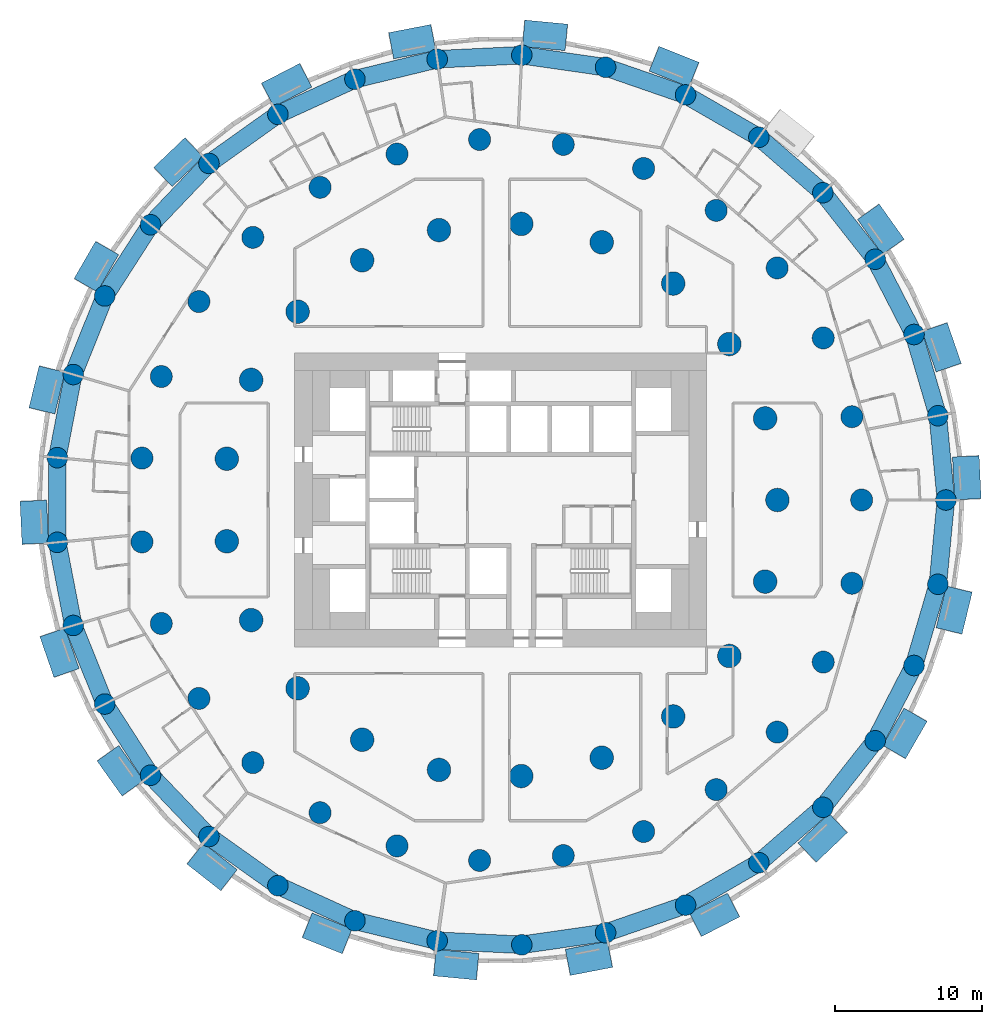
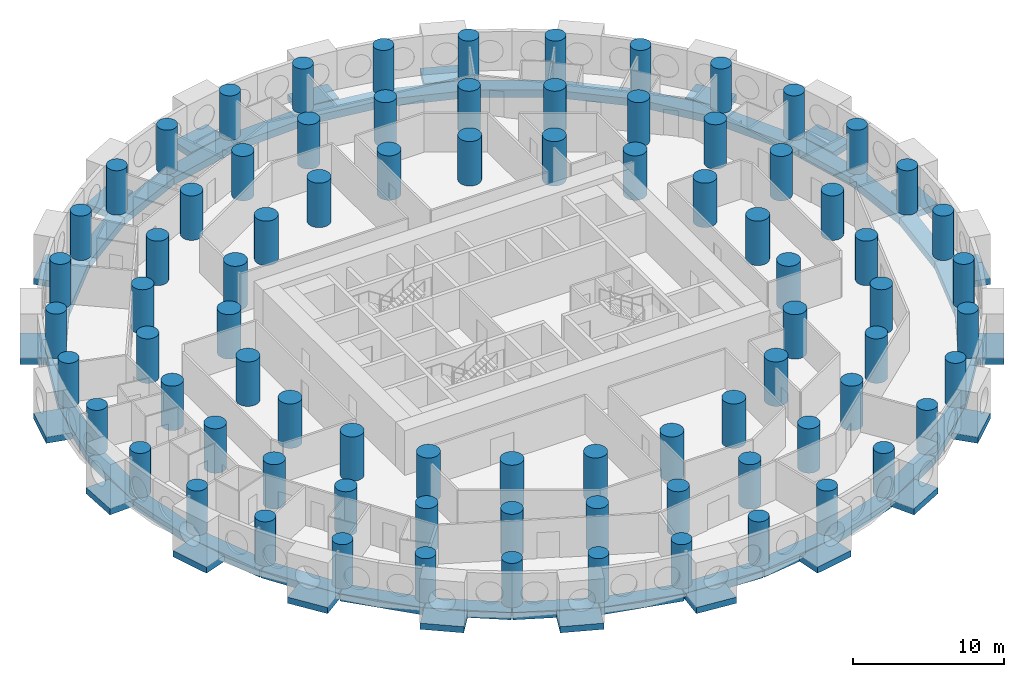
# One storey, part 1 of 12: 81 columns, 54 beams.
"""IFC4 building model written with IfcOpenShell, lengths in metres."""

from ifc_helpers import new_model, si_unit, direction, frame, origin, origin_2d, place, context, subcontext, project, spatial, rectangle, circle, extrude, material, material_profile, profile_set, type_object, element, save


model = new_model("IFC4")

# Units and contexts
model_context = context("Model", 3, precision=1e-05, world=origin(), true_north=direction((0.0, 1.0)))
body_context = subcontext(model_context, "Body", "Model", "MODEL_VIEW")
ifc_project = project(units=[si_unit("LENGTHUNIT", "METRE"), si_unit("AREAUNIT", "SQUARE_METRE"), si_unit("VOLUMEUNIT", "CUBIC_METRE"), si_unit("PLANEANGLEUNIT", "RADIAN"), si_unit("MASSUNIT", "GRAM", prefix="KILO")], contexts=[model_context])

# Site, building, storey
site_placement = place(None, origin())
site = spatial("IfcSite", under=ifc_project, at=site_placement, CompositionType="ELEMENT")
building_placement = place(site_placement, origin())
building = spatial("IfcBuilding", under=site, at=building_placement, Name="Tracery Tower", CompositionType="ELEMENT")
storey_placement = place(building_placement, frame((0.0, 0.0, 28.199951171875)))
storey = spatial("IfcBuildingStorey", under=building, at=storey_placement, Name="L05", CompositionType="ELEMENT", Elevation=28.199951171875)

# Columns
ifc_material_1 = material(Name="Concrete C60/75", Category="concrete")
ifc_material_profile_1 = material_profile(ifc_material_1, circle(Radius=0.699951171875, at=origin_2d()), Name="RC D1400")
ifc_profile_set_1 = profile_set([ifc_material_profile_1], Name="Concrete C60/75")
column_type_1 = type_object("IfcColumnType", Name="Ring 0 column 1400", PredefinedType="COLUMN", material=ifc_profile_set_1)
for number, where, z_axis, x_axis, name in (
    (1, (30.274658203125, 0.0, 0.0), (0.0, 0.0, 1.0), (1.0, 0.0, 0.0), "Ring 0 column 00 at L05"),
    (2, (29.7275390625, 5.7294921875, 0.0), (0.0, 0.0, 1.0), (1.0, 0.0, 0.0), "Ring 0 column 01 at L05"),
    (3, (28.10595703125, 11.251953125, 0.0), (0.0, 0.0, 1.0), (1.0, 0.0, 0.0), "Ring 0 column 02 at L05"),
    (4, (25.468505859375, 16.36767578125, 0.0), (0.0, 0.0, 1.0), (1.0, 0.0, 0.0), "Ring 0 column 03 at L05"),
    (5, (21.910888671875, 20.891845703125, 0.0), (0.0, 0.0, 1.0), (1.0, 0.0, 0.0), "Ring 0 column 04 at L05"),
    (6, (17.56103515625, 24.660888671875, 0.0), (0.0, 0.0, 1.0), (1.0, 0.0, 0.0), "Ring 0 column 05 at L05"),
    (7, (12.576416015625, 27.538818359375, 0.0), (0.0, 0.0, 1.0), (1.0, 0.0, 0.0), "Ring 0 column 06 at L05"),
    (8, (7.137451171875, 29.421142578125, 0.0), (0.0, 0.0, 1.0), (1.0, 0.0, 0.0), "Ring 0 column 07 at L05"),
    (9, (1.4404296875, 30.240234375, 0.0), (0.0, 0.0, 1.0), (1.0, 0.0, 0.0), "Ring 0 column 08 at L05"),
    (10, (-4.30859375, 29.96630859375, 0.0), (0.0, 0.0, 1.0), (1.0, 0.0, 0.0), "Ring 0 column 09 at L05"),
    (11, (-9.90185546875, 28.609619140625, 0.0), (0.0, 0.0, 1.0), (1.0, 0.0, 0.0), "Ring 0 column 10 at L05"),
    (12, (-15.13720703125, 26.218505859375, 0.0), (0.0, 0.0, 1.0), (1.0, 0.0, 0.0), "Ring 0 column 11 at L05"),
    (13, (-19.82568359375, 22.8798828125, 0.0), (0.0, 0.0, 1.0), (1.0, 0.0, 0.0), "Ring 0 column 12 at L05"),
    (14, (-23.79736328125, 18.714599609375, 0.0), (0.0, 0.0, 1.0), (1.0, 0.0, 0.0), "Ring 0 column 13 at L05"),
    (15, (-26.9091796875, 13.87255859375, 0.0), (0.0, 0.0, 1.0), (1.0, 0.0, 0.0), "Ring 0 column 14 at L05"),
    (16, (-29.04833984375, 8.529296875, 0.0), (0.0, 0.0, 1.0), (1.0, 0.0, 0.0), "Ring 0 column 15 at L05"),
    (17, (-30.137451171875, 2.877685546875, 0.0), (0.0, 0.0, 1.0), (1.0, 0.0, 0.0), "Ring 0 column 16 at L05"),
    (18, (-30.137451171875, -2.877685546875, 0.0), (0.0, 0.0, 1.0), (1.0, 0.0, 0.0), "Ring 0 column 17 at L05"),
    (19, (-29.04833984375, -8.529296875, 0.0), (0.0, 0.0, 1.0), (1.0, 0.0, 0.0), "Ring 0 column 18 at L05"),
    (20, (-26.9091796875, -13.87255859375, 0.0), (0.0, 0.0, 1.0), (1.0, 0.0, 0.0), "Ring 0 column 19 at L05"),
    (21, (-23.79736328125, -18.714599609375, 0.0), (0.0, 0.0, 1.0), (1.0, 0.0, 0.0), "Ring 0 column 20 at L05"),
    (22, (-19.82568359375, -22.8798828125, 0.0), (0.0, 0.0, 1.0), (1.0, 0.0, 0.0), "Ring 0 column 21 at L05"),
    (23, (-15.13720703125, -26.218505859375, 0.0), (0.0, 0.0, 1.0), (1.0, 0.0, 0.0), "Ring 0 column 22 at L05"),
    (24, (-9.90185546875, -28.609619140625, 0.0), (0.0, 0.0, 1.0), (1.0, 0.0, 0.0), "Ring 0 column 23 at L05"),
    (25, (-4.30859375, -29.96630859375, 0.0), (0.0, 0.0, 1.0), (1.0, 0.0, 0.0), "Ring 0 column 24 at L05"),
    (26, (1.4404296875, -30.240234375, 0.0), (0.0, 0.0, 1.0), (1.0, 0.0, 0.0), "Ring 0 column 25 at L05"),
    (27, (7.137451171875, -29.421142578125, 0.0), (0.0, 0.0, 1.0), (1.0, 0.0, 0.0), "Ring 0 column 26 at L05"),
    (28, (12.576416015625, -27.538818359375, 0.0), (0.0, 0.0, 1.0), (1.0, 0.0, 0.0), "Ring 0 column 27 at L05"),
    (29, (17.56103515625, -24.660888671875, 0.0), (0.0, 0.0, 1.0), (1.0, 0.0, 0.0), "Ring 0 column 28 at L05"),
    (30, (21.910888671875, -20.891845703125, 0.0), (0.0, 0.0, 1.0), (1.0, 0.0, 0.0), "Ring 0 column 29 at L05"),
    (31, (25.468505859375, -16.36767578125, 0.0), (0.0, 0.0, 1.0), (1.0, 0.0, 0.0), "Ring 0 column 30 at L05"),
    (32, (28.10595703125, -11.251953125, 0.0), (0.0, 0.0, 1.0), (1.0, 0.0, 0.0), "Ring 0 column 31 at L05"),
    (33, (29.7275390625, -5.7294921875, 0.0), (0.0, 0.0, 1.0), (1.0, 0.0, 0.0), "Ring 0 column 32 at L05"),
):
    element("IfcColumn", number, at=place(storey_placement, frame(where, z_axis=z_axis, x_axis=x_axis)), inside=storey, type_object=column_type_1, Name=name, PredefinedType="COLUMN", context=body_context, shape_type="SweptSolid", body=[
        extrude(circle(Radius=0.699951171875, at=origin_2d()), origin(), (0.0, 0.0, 1.0), 3.60009765625),
    ])
ifc_material_2 = material(Name="Concrete C60/75", Category="concrete")
ifc_material_profile_2 = material_profile(ifc_material_2, circle(Radius=0.75, at=origin_2d()), Name="RC D1500")
ifc_profile_set_2 = profile_set([ifc_material_profile_2], Name="Concrete C60/75")
column_type_2 = type_object("IfcColumnType", Name="Ring 1 column 1500", PredefinedType="COLUMN", material=ifc_profile_set_2)
for number, where, z_axis, x_axis, name in (
    (34, (24.547607421875, 0.0, 0.0), (0.0, 0.0, 1.0), (1.0, 0.0, 0.0), "Ring 1 column 00 at L05"),
    (35, (23.885986328125, 5.6611328125, 0.0), (0.0, 0.0, 1.0), (1.0, 0.0, 0.0), "Ring 1 column 01 at L05"),
    (36, (21.9365234375, 11.01708984375, 0.0), (0.0, 0.0, 1.0), (1.0, 0.0, 0.0), "Ring 1 column 02 at L05"),
    (37, (18.8046875, 15.779052734375, 0.0), (0.0, 0.0, 1.0), (1.0, 0.0, 0.0), "Ring 1 column 03 at L05"),
    (38, (14.658935546875, 19.690185546875, 0.0), (0.0, 0.0, 1.0), (1.0, 0.0, 0.0), "Ring 1 column 04 at L05"),
    (39, (9.722900390625, 22.5400390625, 0.0), (0.0, 0.0, 1.0), (1.0, 0.0, 0.0), "Ring 1 column 05 at L05"),
    (40, (4.2626953125, 24.1748046875, 0.0), (0.0, 0.0, 1.0), (1.0, 0.0, 0.0), "Ring 1 column 06 at L05"),
    (41, (-1.42724609375, 24.506103515625, 0.0), (0.0, 0.0, 1.0), (1.0, 0.0, 0.0), "Ring 1 column 07 at L05"),
    (42, (-7.040283203125, 23.516357421875, 0.0), (0.0, 0.0, 1.0), (1.0, 0.0, 0.0), "Ring 1 column 08 at L05"),
    (43, (-12.273681640625, 21.2587890625, 0.0), (0.0, 0.0, 1.0), (1.0, 0.0, 0.0), "Ring 1 column 09 at L05"),
    (44, (-16.845703125, 17.855224609375, 0.0), (0.0, 0.0, 1.0), (1.0, 0.0, 0.0), "Ring 1 column 10 at L05"),
    (45, (-20.50927734375, 13.4892578125, 0.0), (0.0, 0.0, 1.0), (1.0, 0.0, 0.0), "Ring 1 column 11 at L05"),
    (46, (-23.0673828125, 8.395751953125, 0.0), (0.0, 0.0, 1.0), (1.0, 0.0, 0.0), "Ring 1 column 12 at L05"),
    (47, (-24.381591796875, 2.849853515625, 0.0), (0.0, 0.0, 1.0), (1.0, 0.0, 0.0), "Ring 1 column 13 at L05"),
    (48, (-24.381591796875, -2.849853515625, 0.0), (0.0, 0.0, 1.0), (1.0, 0.0, 0.0), "Ring 1 column 14 at L05"),
    (49, (-23.0673828125, -8.395751953125, 0.0), (0.0, 0.0, 1.0), (1.0, 0.0, 0.0), "Ring 1 column 15 at L05"),
    (50, (-20.50927734375, -13.4892578125, 0.0), (0.0, 0.0, 1.0), (1.0, 0.0, 0.0), "Ring 1 column 16 at L05"),
    (51, (-16.845703125, -17.85546875, 0.0), (0.0, 0.0, 1.0), (1.0, 0.0, 0.0), "Ring 1 column 17 at L05"),
    (52, (-12.27392578125, -21.2587890625, 0.0), (0.0, 0.0, 1.0), (1.0, 0.0, 0.0), "Ring 1 column 18 at L05"),
    (53, (-7.040283203125, -23.516357421875, 0.0), (0.0, 0.0, 1.0), (1.0, 0.0, 0.0), "Ring 1 column 19 at L05"),
    (54, (-1.42724609375, -24.506103515625, 0.0), (0.0, 0.0, 1.0), (1.0, 0.0, 0.0), "Ring 1 column 20 at L05"),
    (55, (4.2626953125, -24.1748046875, 0.0), (0.0, 0.0, 1.0), (1.0, 0.0, 0.0), "Ring 1 column 21 at L05"),
    (56, (9.722900390625, -22.5400390625, 0.0), (0.0, 0.0, 1.0), (1.0, 0.0, 0.0), "Ring 1 column 22 at L05"),
    (57, (14.658935546875, -19.690185546875, 0.0), (0.0, 0.0, 1.0), (1.0, 0.0, 0.0), "Ring 1 column 23 at L05"),
    (58, (18.8046875, -15.779052734375, 0.0), (0.0, 0.0, 1.0), (1.0, 0.0, 0.0), "Ring 1 column 24 at L05"),
    (59, (21.9365234375, -11.01708984375, 0.0), (0.0, 0.0, 1.0), (1.0, 0.0, 0.0), "Ring 1 column 25 at L05"),
    (60, (23.885986328125, -5.6611328125, 0.0), (0.0, 0.0, 1.0), (1.0, 0.0, 0.0), "Ring 1 column 26 at L05"),
):
    element("IfcColumn", number, at=place(storey_placement, frame(where, z_axis=z_axis, x_axis=x_axis)), inside=storey, type_object=column_type_2, Name=name, PredefinedType="COLUMN", context=body_context, shape_type="SweptSolid", body=[
        extrude(circle(Radius=0.75, at=origin_2d()), origin(), (0.0, 0.0, 1.0), 3.60009765625),
    ])
ifc_material_3 = material(Name="Concrete C60/75", Category="concrete")
ifc_material_profile_3 = material_profile(ifc_material_3, circle(Radius=0.800048828125, at=origin_2d()), Name="RC D1600")
ifc_profile_set_3 = profile_set([ifc_material_profile_3], Name="Concrete C60/75")
column_type_3 = type_object("IfcColumnType", Name="Ring 2 column 1600", PredefinedType="COLUMN", material=ifc_profile_set_3)
for number, where, z_axis, x_axis, name in (
    (61, (18.822265625, 0.0, 0.0), (0.0, 0.0, 1.0), (1.0, 0.0, 0.0), "Ring 2 column 00 at L05"),
    (62, (17.986083984375, 5.5478515625, 0.0), (0.0, 0.0, 1.0), (1.0, 0.0, 0.0), "Ring 2 column 01 at L05"),
    (63, (15.551513671875, 10.602783203125, 0.0), (0.0, 0.0, 1.0), (1.0, 0.0, 0.0), "Ring 2 column 02 at L05"),
    (64, (11.7353515625, 14.7158203125, 0.0), (0.0, 0.0, 1.0), (1.0, 0.0, 0.0), "Ring 2 column 03 at L05"),
    (65, (6.87646484375, 17.52099609375, 0.0), (0.0, 0.0, 1.0), (1.0, 0.0, 0.0), "Ring 2 column 04 at L05"),
    (66, (1.406494140625, 18.76953125, 0.0), (0.0, 0.0, 1.0), (1.0, 0.0, 0.0), "Ring 2 column 05 at L05"),
    (67, (-4.188232421875, 18.350341796875, 0.0), (0.0, 0.0, 1.0), (1.0, 0.0, 0.0), "Ring 2 column 06 at L05"),
    (68, (-9.4111328125, 16.300537109375, 0.0), (0.0, 0.0, 1.0), (1.0, 0.0, 0.0), "Ring 2 column 07 at L05"),
    (69, (-13.797607421875, 12.802490234375, 0.0), (0.0, 0.0, 1.0), (1.0, 0.0, 0.0), "Ring 2 column 08 at L05"),
    (70, (-16.958251953125, 8.16650390625, 0.0), (0.0, 0.0, 1.0), (1.0, 0.0, 0.0), "Ring 2 column 09 at L05"),
    (71, (-18.612060546875, 2.805419921875, 0.0), (0.0, 0.0, 1.0), (1.0, 0.0, 0.0), "Ring 2 column 10 at L05"),
    (72, (-18.612060546875, -2.805419921875, 0.0), (0.0, 0.0, 1.0), (1.0, 0.0, 0.0), "Ring 2 column 11 at L05"),
    (73, (-16.958251953125, -8.166748046875, 0.0), (0.0, 0.0, 1.0), (1.0, 0.0, 0.0), "Ring 2 column 12 at L05"),
    (74, (-13.797607421875, -12.80224609375, 0.0), (0.0, 0.0, 1.0), (1.0, 0.0, 0.0), "Ring 2 column 13 at L05"),
    (75, (-9.4111328125, -16.300537109375, 0.0), (0.0, 0.0, 1.0), (1.0, 0.0, 0.0), "Ring 2 column 14 at L05"),
    (76, (-4.188232421875, -18.350341796875, 0.0), (0.0, 0.0, 1.0), (1.0, 0.0, 0.0), "Ring 2 column 15 at L05"),
    (77, (1.406494140625, -18.76953125, 0.0), (0.0, 0.0, 1.0), (1.0, 0.0, 0.0), "Ring 2 column 16 at L05"),
    (78, (6.87646484375, -17.52099609375, 0.0), (0.0, 0.0, 1.0), (1.0, 0.0, 0.0), "Ring 2 column 17 at L05"),
    (79, (11.7353515625, -14.7158203125, 0.0), (0.0, 0.0, 1.0), (1.0, 0.0, 0.0), "Ring 2 column 18 at L05"),
    (80, (15.551513671875, -10.602783203125, 0.0), (0.0, 0.0, 1.0), (1.0, 0.0, 0.0), "Ring 2 column 19 at L05"),
    (81, (17.986083984375, -5.5478515625, 0.0), (0.0, 0.0, 1.0), (1.0, 0.0, 0.0), "Ring 2 column 20 at L05"),
):
    element("IfcColumn", number, at=place(storey_placement, frame(where, z_axis=z_axis, x_axis=x_axis)), inside=storey, type_object=column_type_3, Name=name, PredefinedType="COLUMN", context=body_context, shape_type="SweptSolid", body=[
        extrude(circle(Radius=0.800048828125, at=origin_2d()), origin(), (0.0, 0.0, 1.0), 3.60009765625),
    ])

# Beams
ifc_material_4 = material(Name="Concrete C60/75", Category="concrete")
ifc_material_profile_4 = material_profile(ifc_material_4, rectangle(XDim=1.81005859375, YDim=0.5, at=origin_2d()), Name="RC 1810x500")
ifc_profile_set_4 = profile_set([ifc_material_profile_4], Name="Concrete C60/75")
beam_type_1 = type_object("IfcBeamType", Name="Bay seat beam 1810 x 500", PredefinedType="BEAM", material=ifc_profile_set_4)
beam_1_placement = place(storey_placement, frame((31.767333984375, 0.051513671875, -0.699951171875), z_axis=(-0.047573094089, 0.998867759375, 0.0), x_axis=(-0.998867759375, -0.047573094089, 0.0)))
element("IfcBeam", 82, at=beam_1_placement, inside=storey, type_object=beam_type_1, Name="Bay seat beam 1 at L05", PredefinedType="BEAM", context=body_context, shape_type="SweptSolid", body=[
    extrude(rectangle(XDim=1.81005859375, YDim=0.5, at=origin_2d()), origin(), (0.0, 0.0, 1.0), 2.920166015625),
])
for number, where, z_axis, x_axis, name in (
    (83, (30.466064453125, 8.99951171875, -0.699951171875), (-0.327093333183, 0.944992037738, 0.0), (-0.944992037738, -0.327093333183, 0.0), "Bay seat beam 4 at L05"),
    (84, (26.696533203125, 17.21826171875, -0.699951171875), (-0.580098696047, 0.81454619442, 0.0), (-0.81454619442, -0.580098696047, 0.0), "Bay seat beam 7 at L05"),
    (85, (13.149658203125, 28.918212890625, -0.699951171875), (-0.928367087211, 0.371664568373, 0.0), (-0.371664568373, -0.928367087211, 0.0), "Bay seat beam 13 at L05"),
):
    element("IfcBeam", number, at=place(storey_placement, frame(where, z_axis=z_axis, x_axis=x_axis)), inside=storey, type_object=beam_type_1, Name=name, PredefinedType="BEAM", context=body_context, shape_type="SweptSolid", body=[
        extrude(rectangle(XDim=1.81005859375, YDim=0.5, at=origin_2d()), origin(), (0.0, 0.0, 1.0), 2.919921875),
    ])
beam_2_placement = place(storey_placement, frame((4.469970703125, 31.451416015625, -0.699951171875), z_axis=(-0.995471769445, 0.095057646919, 0.0), x_axis=(-0.095057646919, -0.995471769445, 0.0)))
element("IfcBeam", 86, at=beam_2_placement, inside=storey, type_object=beam_type_1, Name="Bay seat beam 16 at L05", PredefinedType="BEAM", context=body_context, shape_type="SweptSolid", body=[
    extrude(rectangle(XDim=1.81005859375, YDim=0.5, at=origin_2d()), origin(), (0.0, 0.0, 1.0), 2.920166015625),
])
beam_3_placement = place(storey_placement, frame((-4.572021484375, 31.436767578125, -0.699951171875), z_axis=(-0.981920468865, -0.189293932349, 0.0), x_axis=(0.189293932349, -0.981920468865, 0.0)))
element("IfcBeam", 87, at=beam_3_placement, inside=storey, type_object=beam_type_1, Name="Bay seat beam 19 at L05", PredefinedType="BEAM", context=body_context, shape_type="SweptSolid", body=[
    extrude(rectangle(XDim=1.81005859375, YDim=0.5, at=origin_2d()), origin(), (0.0, 0.0, 1.0), 2.919921875),
])
beam_4_placement = place(storey_placement, frame((-13.24365234375, 28.875244140625, -0.699951171875), z_axis=(-0.888823919044, -0.458248885362, 0.0), x_axis=(0.458248885362, -0.888823919044, 0.0)))
element("IfcBeam", 88, at=beam_4_placement, inside=storey, type_object=beam_type_1, Name="Bay seat beam 22 at L05", PredefinedType="BEAM", context=body_context, shape_type="SweptSolid", body=[
    extrude(rectangle(XDim=1.81005859375, YDim=0.5, at=origin_2d()), origin(), (0.0, 0.0, 1.0), 2.920166015625),
])
for number, where, z_axis, x_axis, name in (
    (89, (-20.84228515625, 23.974365234375, -0.699951171875), (-0.72375405418, -0.690058018617, 0.0), (0.690058018617, -0.72375405418, 0.0), "Bay seat beam 25 at L05"),
    (90, (-26.75244140625, 17.13134765625, -0.699951171875), (-0.49998782916, -0.866032430508, 0.0), (0.866032430508, -0.49998782916, 0.0), "Bay seat beam 28 at L05"),
    (91, (-30.4951171875, 8.900390625, -0.699951171875), (-0.235781890866, -0.971805999127, 0.0), (0.971805999127, -0.235781890866, 0.0), "Bay seat beam 31 at L05"),
):
    element("IfcBeam", number, at=place(storey_placement, frame(where, z_axis=z_axis, x_axis=x_axis)), inside=storey, type_object=beam_type_1, Name=name, PredefinedType="BEAM", context=body_context, shape_type="SweptSolid", body=[
        extrude(rectangle(XDim=1.81005859375, YDim=0.5, at=origin_2d()), origin(), (0.0, 0.0, 1.0), 2.919921875),
    ])
beam_5_placement = place(storey_placement, frame((-31.767333984375, -0.051513671875, -0.699951171875), z_axis=(0.047573094089, -0.998867759375, 0.0), x_axis=(0.998867759375, 0.047573094089, 0.0)))
element("IfcBeam", 92, at=beam_5_placement, inside=storey, type_object=beam_type_1, Name="Bay seat beam 34 at L05", PredefinedType="BEAM", context=body_context, shape_type="SweptSolid", body=[
    extrude(rectangle(XDim=1.81005859375, YDim=0.5, at=origin_2d()), origin(), (0.0, 0.0, 1.0), 2.920166015625),
])
for number, where, z_axis, x_axis, name in (
    (93, (-30.466064453125, -8.99951171875, -0.699951171875), (0.327093333183, -0.944992037738, 0.0), (0.944992037738, 0.327093333183, 0.0), "Bay seat beam 37 at L05"),
    (94, (-26.696533203125, -17.21826171875, -0.699951171875), (0.580098696047, -0.81454619442, 0.0), (0.81454619442, 0.580098696047, 0.0), "Bay seat beam 40 at L05"),
    (95, (-20.76416015625, -24.0419921875, -0.699951171875), (0.786054237018, -0.618157533696, 0.0), (0.618157533696, 0.786054237018, 0.0), "Bay seat beam 43 at L05"),
    (96, (-13.149658203125, -28.918212890625, -0.699951171875), (0.928367087211, -0.371664568373, 0.0), (0.371664568373, 0.928367087211, 0.0), "Bay seat beam 46 at L05"),
):
    element("IfcBeam", number, at=place(storey_placement, frame(where, z_axis=z_axis, x_axis=x_axis)), inside=storey, type_object=beam_type_1, Name=name, PredefinedType="BEAM", context=body_context, shape_type="SweptSolid", body=[
        extrude(rectangle(XDim=1.81005859375, YDim=0.5, at=origin_2d()), origin(), (0.0, 0.0, 1.0), 2.919921875),
    ])
beam_6_placement = place(storey_placement, frame((-4.469970703125, -31.451416015625, -0.699951171875), z_axis=(0.995471769445, -0.095057646919, 0.0), x_axis=(0.095057646919, 0.995471769445, 0.0)))
element("IfcBeam", 97, at=beam_6_placement, inside=storey, type_object=beam_type_1, Name="Bay seat beam 49 at L05", PredefinedType="BEAM", context=body_context, shape_type="SweptSolid", body=[
    extrude(rectangle(XDim=1.81005859375, YDim=0.5, at=origin_2d()), origin(), (0.0, 0.0, 1.0), 2.920166015625),
])
beam_7_placement = place(storey_placement, frame((4.572021484375, -31.436767578125, -0.699951171875), z_axis=(0.981920468865, 0.189293932349, 0.0), x_axis=(-0.189293932349, 0.981920468865, 0.0)))
element("IfcBeam", 98, at=beam_7_placement, inside=storey, type_object=beam_type_1, Name="Bay seat beam 52 at L05", PredefinedType="BEAM", context=body_context, shape_type="SweptSolid", body=[
    extrude(rectangle(XDim=1.81005859375, YDim=0.5, at=origin_2d()), origin(), (0.0, 0.0, 1.0), 2.919921875),
])
beam_8_placement = place(storey_placement, frame((13.24365234375, -28.875244140625, -0.699951171875), z_axis=(0.888823919044, 0.458248885362, 0.0), x_axis=(-0.458248885362, 0.888823919044, 0.0)))
element("IfcBeam", 99, at=beam_8_placement, inside=storey, type_object=beam_type_1, Name="Bay seat beam 55 at L05", PredefinedType="BEAM", context=body_context, shape_type="SweptSolid", body=[
    extrude(rectangle(XDim=1.81005859375, YDim=0.5, at=origin_2d()), origin(), (0.0, 0.0, 1.0), 2.920166015625),
])
for number, where, z_axis, x_axis, name in (
    (100, (20.84228515625, -23.974365234375, -0.699951171875), (0.72375405418, 0.690058018617, 0.0), (-0.690058018617, 0.72375405418, 0.0), "Bay seat beam 58 at L05"),
    (101, (26.75244140625, -17.13134765625, -0.699951171875), (0.49998782916, 0.866032430508, 0.0), (-0.866032430508, 0.49998782916, 0.0), "Bay seat beam 61 at L05"),
    (102, (30.4951171875, -8.900390625, -0.699951171875), (0.235781890866, 0.971805999127, 0.0), (-0.971805999127, 0.235781890866, 0.0), "Bay seat beam 64 at L05"),
):
    element("IfcBeam", number, at=place(storey_placement, frame(where, z_axis=z_axis, x_axis=x_axis)), inside=storey, type_object=beam_type_1, Name=name, PredefinedType="BEAM", context=body_context, shape_type="SweptSolid", body=[
        extrude(rectangle(XDim=1.81005859375, YDim=0.5, at=origin_2d()), origin(), (0.0, 0.0, 1.0), 2.919921875),
    ])
ifc_material_5 = material(Name="Concrete C60/75", Category="concrete")
ifc_material_profile_5 = material_profile(ifc_material_5, rectangle(XDim=1.199951171875, YDim=0.60009765625, at=origin_2d()), Name="RC 1200x600")
ifc_profile_set_5 = profile_set([ifc_material_profile_5], Name="Concrete C60/75")
beam_type_2 = type_object("IfcBeamType", Name="Perimeter band beam 1200x600", PredefinedType="BEAM", material=ifc_profile_set_5)
for number, where, z_axis, x_axis, name in (
    (103, (30.274658203125, 0.0, -0.75), (-0.095059309677, 0.995471610667, 0.0), (-0.995471610667, -0.095059309677, 0.0), "Perimeter beam 0.00 under L05"),
    (104, (29.7275390625, 5.7294921875, -0.75), (-0.281739145896, 0.959491038869, 0.0), (-0.959491038869, -0.281739145896, 0.0), "Perimeter beam 0.01 under L05"),
    (105, (28.10595703125, 11.251953125, -0.75), (-0.458242010493, 0.88882746347, 0.0), (-0.88882746347, -0.458242010493, 0.0), "Perimeter beam 0.02 under L05"),
):
    element("IfcBeam", number, at=place(storey_placement, frame(where, z_axis=z_axis, x_axis=x_axis)), inside=storey, type_object=beam_type_2, Name=name, PredefinedType="BEAM", context=body_context, shape_type="SweptSolid", body=[
        extrude(rectangle(XDim=1.199951171875, YDim=0.60009765625, at=origin_2d()), origin(), (0.0, 0.0, 1.0), 5.755615234375),
    ])
beam_9_placement = place(storey_placement, frame((25.468505859375, 16.36767578125, -0.75), z_axis=(-0.618134362257, 0.786072458618, 0.0), x_axis=(-0.786072458618, -0.618134362257, 0.0)))
element("IfcBeam", 106, at=beam_9_placement, inside=storey, type_object=beam_type_2, Name="Perimeter beam 0.03 under L05", PredefinedType="BEAM", context=body_context, shape_type="SweptSolid", body=[
    extrude(rectangle(XDim=1.199951171875, YDim=0.60009765625, at=origin_2d()), origin(), (0.0, 0.0, 1.0), 5.75537109375),
])
beam_10_placement = place(storey_placement, frame((21.910888671875, 20.891845703125, -0.75), z_axis=(-0.755760456715, 0.65484817482, 0.0), x_axis=(-0.65484817482, -0.755760456715, 0.0)))
element("IfcBeam", 107, at=beam_10_placement, inside=storey, type_object=beam_type_2, Name="Perimeter beam 0.04 under L05", PredefinedType="BEAM", context=body_context, shape_type="SweptSolid", body=[
    extrude(rectangle(XDim=1.199951171875, YDim=0.60009765625, at=origin_2d()), origin(), (0.0, 0.0, 1.0), 5.755615234375),
])
beam_11_placement = place(storey_placement, frame((17.56103515625, 24.660888671875, -0.75), z_axis=(-0.866021003874, 0.50000762079, 0.0), x_axis=(-0.50000762079, -0.866021003874, 0.0)))
element("IfcBeam", 108, at=beam_11_placement, inside=storey, type_object=beam_type_2, Name="Perimeter beam 0.05 under L05", PredefinedType="BEAM", context=body_context, shape_type="SweptSolid", body=[
    extrude(rectangle(XDim=1.199951171875, YDim=0.60009765625, at=origin_2d()), origin(), (0.0, 0.0, 1.0), 5.755859375),
])
beam_12_placement = place(storey_placement, frame((12.576416015625, 27.538818359375, -0.75), z_axis=(-0.945007252869, 0.327049372458, 0.0), x_axis=(-0.327049372458, -0.945007252869, 0.0)))
element("IfcBeam", 109, at=beam_12_placement, inside=storey, type_object=beam_type_2, Name="Perimeter beam 0.06 under L05", PredefinedType="BEAM", context=body_context, shape_type="SweptSolid", body=[
    extrude(rectangle(XDim=1.199951171875, YDim=0.60009765625, at=origin_2d()), origin(), (0.0, 0.0, 1.0), 5.75537109375),
])
for number, where, z_axis, x_axis, name in (
    (110, (7.137451171875, 29.421142578125, -0.75), (-0.989821839174, 0.142312075013, 0.0), (-0.142312075013, -0.989821839174, 0.0), "Perimeter beam 0.07 under L05"),
    (111, (1.4404296875, 30.240234375, -0.75), (-0.998866793759, -0.047593364303, 0.0), (0.047593364303, -0.998866793759, 0.0), "Perimeter beam 0.08 under L05"),
):
    element("IfcBeam", number, at=place(storey_placement, frame(where, z_axis=z_axis, x_axis=x_axis)), inside=storey, type_object=beam_type_2, Name=name, PredefinedType="BEAM", context=body_context, shape_type="SweptSolid", body=[
        extrude(rectangle(XDim=1.199951171875, YDim=0.60009765625, at=origin_2d()), origin(), (0.0, 0.0, 1.0), 5.755615234375),
    ])
beam_13_placement = place(storey_placement, frame((-4.30859375, 29.96630859375, -0.75), z_axis=(-0.971820371509, -0.235722645328, 0.0), x_axis=(0.235722645328, -0.971820371509, 0.0)))
element("IfcBeam", 112, at=beam_13_placement, inside=storey, type_object=beam_type_2, Name="Perimeter beam 0.09 under L05", PredefinedType="BEAM", context=body_context, shape_type="SweptSolid", body=[
    extrude(rectangle(XDim=1.199951171875, YDim=0.60009765625, at=origin_2d()), origin(), (0.0, 0.0, 1.0), 5.75537109375),
])
for number, where, z_axis, x_axis, name in (
    (113, (-9.90185546875, 28.609619140625, -0.75), (-0.909618316865, -0.415444963411, 0.0), (0.415444963411, -0.909618316865, 0.0), "Perimeter beam 0.10 under L05"),
    (114, (-15.13720703125, 26.218505859375, -0.75), (-0.8145780864, -0.580053912285, 0.0), (0.580053912285, -0.8145780864, 0.0), "Perimeter beam 0.11 under L05"),
):
    element("IfcBeam", number, at=place(storey_placement, frame(where, z_axis=z_axis, x_axis=x_axis)), inside=storey, type_object=beam_type_2, Name=name, PredefinedType="BEAM", context=body_context, shape_type="SweptSolid", body=[
        extrude(rectangle(XDim=1.199951171875, YDim=0.60009765625, at=origin_2d()), origin(), (0.0, 0.0, 1.0), 5.755615234375),
    ])
beam_14_placement = place(storey_placement, frame((-19.82568359375, 22.8798828125, -0.75), z_axis=(-0.690087218267, -0.723726212863, 0.0), x_axis=(0.723726212863, -0.690087218267, 0.0)))
element("IfcBeam", 115, at=beam_14_placement, inside=storey, type_object=beam_type_2, Name="Perimeter beam 0.12 under L05", PredefinedType="BEAM", context=body_context, shape_type="SweptSolid", body=[
    extrude(rectangle(XDim=1.199951171875, YDim=0.60009765625, at=origin_2d()), origin(), (0.0, 0.0, 1.0), 5.75537109375),
])
beam_15_placement = place(storey_placement, frame((-23.79736328125, 18.714599609375, -0.75), z_axis=(-0.540643964602, -0.841251510274, 0.0), x_axis=(0.841251510274, -0.540643964602, 0.0)))
element("IfcBeam", 116, at=beam_15_placement, inside=storey, type_object=beam_type_2, Name="Perimeter beam 0.13 under L05", PredefinedType="BEAM", context=body_context, shape_type="SweptSolid", body=[
    extrude(rectangle(XDim=1.199951171875, YDim=0.60009765625, at=origin_2d()), origin(), (0.0, 0.0, 1.0), 5.755859375),
])
for number, where, z_axis, x_axis, name in (
    (117, (-26.9091796875, 13.87255859375, -0.75), (-0.371668572289, -0.928365484264, 0.0), (0.928365484264, -0.371668572289, 0.0), "Perimeter beam 0.14 under L05"),
    (118, (-29.04833984375, 8.529296875, -0.75), (-0.189226539295, -0.981933458451, 0.0), (0.981933458451, -0.189226539295, 0.0), "Perimeter beam 0.15 under L05"),
):
    element("IfcBeam", number, at=place(storey_placement, frame(where, z_axis=z_axis, x_axis=x_axis)), inside=storey, type_object=beam_type_2, Name=name, PredefinedType="BEAM", context=body_context, shape_type="SweptSolid", body=[
        extrude(rectangle(XDim=1.199951171875, YDim=0.60009765625, at=origin_2d()), origin(), (0.0, 0.0, 1.0), 5.755615234375),
    ])
beam_16_placement = place(storey_placement, frame((-30.137451171875, 2.877685546875, -0.75), z_axis=(0.0, -1.0, 0.0), x_axis=(1.0, 0.0, 0.0)))
element("IfcBeam", 119, at=beam_16_placement, inside=storey, type_object=beam_type_2, Name="Perimeter beam 0.16 under L05", PredefinedType="BEAM", context=body_context, shape_type="SweptSolid", body=[
    extrude(rectangle(XDim=1.199951171875, YDim=0.60009765625, at=origin_2d()), origin(), (0.0, 0.0, 1.0), 5.75537109375),
])
for number, where, z_axis, x_axis, name in (
    (120, (-30.137451171875, -2.877685546875, -0.75), (0.189226539295, -0.981933458451, 0.0), (0.981933458451, 0.189226539295, 0.0), "Perimeter beam 0.17 under L05"),
    (121, (-29.04833984375, -8.529296875, -0.75), (0.371668572289, -0.928365484264, 0.0), (0.928365484264, 0.371668572289, 0.0), "Perimeter beam 0.18 under L05"),
):
    element("IfcBeam", number, at=place(storey_placement, frame(where, z_axis=z_axis, x_axis=x_axis)), inside=storey, type_object=beam_type_2, Name=name, PredefinedType="BEAM", context=body_context, shape_type="SweptSolid", body=[
        extrude(rectangle(XDim=1.199951171875, YDim=0.60009765625, at=origin_2d()), origin(), (0.0, 0.0, 1.0), 5.755615234375),
    ])
beam_17_placement = place(storey_placement, frame((-26.9091796875, -13.87255859375, -0.75), z_axis=(0.540643964602, -0.841251510274, 0.0), x_axis=(0.841251510274, 0.540643964602, 0.0)))
element("IfcBeam", 122, at=beam_17_placement, inside=storey, type_object=beam_type_2, Name="Perimeter beam 0.19 under L05", PredefinedType="BEAM", context=body_context, shape_type="SweptSolid", body=[
    extrude(rectangle(XDim=1.199951171875, YDim=0.60009765625, at=origin_2d()), origin(), (0.0, 0.0, 1.0), 5.755859375),
])
beam_18_placement = place(storey_placement, frame((-23.79736328125, -18.714599609375, -0.75), z_axis=(0.690087218267, -0.723726212863, 0.0), x_axis=(0.723726212863, 0.690087218267, 0.0)))
element("IfcBeam", 123, at=beam_18_placement, inside=storey, type_object=beam_type_2, Name="Perimeter beam 0.20 under L05", PredefinedType="BEAM", context=body_context, shape_type="SweptSolid", body=[
    extrude(rectangle(XDim=1.199951171875, YDim=0.60009765625, at=origin_2d()), origin(), (0.0, 0.0, 1.0), 5.75537109375),
])
for number, where, z_axis, x_axis, name in (
    (124, (-19.82568359375, -22.8798828125, -0.75), (0.8145780864, -0.580053912285, 0.0), (0.580053912285, 0.8145780864, 0.0), "Perimeter beam 0.21 under L05"),
    (125, (-15.13720703125, -26.218505859375, -0.75), (0.909618316865, -0.415444963411, 0.0), (0.415444963411, 0.909618316865, 0.0), "Perimeter beam 0.22 under L05"),
):
    element("IfcBeam", number, at=place(storey_placement, frame(where, z_axis=z_axis, x_axis=x_axis)), inside=storey, type_object=beam_type_2, Name=name, PredefinedType="BEAM", context=body_context, shape_type="SweptSolid", body=[
        extrude(rectangle(XDim=1.199951171875, YDim=0.60009765625, at=origin_2d()), origin(), (0.0, 0.0, 1.0), 5.755615234375),
    ])
beam_19_placement = place(storey_placement, frame((-9.90185546875, -28.609619140625, -0.75), z_axis=(0.971820371509, -0.235722645328, 0.0), x_axis=(0.235722645328, 0.971820371509, 0.0)))
element("IfcBeam", 126, at=beam_19_placement, inside=storey, type_object=beam_type_2, Name="Perimeter beam 0.23 under L05", PredefinedType="BEAM", context=body_context, shape_type="SweptSolid", body=[
    extrude(rectangle(XDim=1.199951171875, YDim=0.60009765625, at=origin_2d()), origin(), (0.0, 0.0, 1.0), 5.75537109375),
])
for number, where, z_axis, x_axis, name in (
    (127, (-4.30859375, -29.96630859375, -0.75), (0.998866793759, -0.047593364303, 0.0), (0.047593364303, 0.998866793759, 0.0), "Perimeter beam 0.24 under L05"),
    (128, (1.4404296875, -30.240234375, -0.75), (0.989821839174, 0.142312075013, 0.0), (-0.142312075013, 0.989821839174, 0.0), "Perimeter beam 0.25 under L05"),
):
    element("IfcBeam", number, at=place(storey_placement, frame(where, z_axis=z_axis, x_axis=x_axis)), inside=storey, type_object=beam_type_2, Name=name, PredefinedType="BEAM", context=body_context, shape_type="SweptSolid", body=[
        extrude(rectangle(XDim=1.199951171875, YDim=0.60009765625, at=origin_2d()), origin(), (0.0, 0.0, 1.0), 5.755615234375),
    ])
beam_20_placement = place(storey_placement, frame((7.137451171875, -29.421142578125, -0.75), z_axis=(0.945007252869, 0.327049372458, 0.0), x_axis=(-0.327049372458, 0.945007252869, 0.0)))
element("IfcBeam", 129, at=beam_20_placement, inside=storey, type_object=beam_type_2, Name="Perimeter beam 0.26 under L05", PredefinedType="BEAM", context=body_context, shape_type="SweptSolid", body=[
    extrude(rectangle(XDim=1.199951171875, YDim=0.60009765625, at=origin_2d()), origin(), (0.0, 0.0, 1.0), 5.75537109375),
])
beam_21_placement = place(storey_placement, frame((12.576416015625, -27.538818359375, -0.75), z_axis=(0.866021003874, 0.50000762079, 0.0), x_axis=(-0.50000762079, 0.866021003874, 0.0)))
element("IfcBeam", 130, at=beam_21_placement, inside=storey, type_object=beam_type_2, Name="Perimeter beam 0.27 under L05", PredefinedType="BEAM", context=body_context, shape_type="SweptSolid", body=[
    extrude(rectangle(XDim=1.199951171875, YDim=0.60009765625, at=origin_2d()), origin(), (0.0, 0.0, 1.0), 5.755859375),
])
beam_22_placement = place(storey_placement, frame((17.56103515625, -24.660888671875, -0.75), z_axis=(0.755760456715, 0.65484817482, 0.0), x_axis=(-0.65484817482, 0.755760456715, 0.0)))
element("IfcBeam", 131, at=beam_22_placement, inside=storey, type_object=beam_type_2, Name="Perimeter beam 0.28 under L05", PredefinedType="BEAM", context=body_context, shape_type="SweptSolid", body=[
    extrude(rectangle(XDim=1.199951171875, YDim=0.60009765625, at=origin_2d()), origin(), (0.0, 0.0, 1.0), 5.755615234375),
])
beam_23_placement = place(storey_placement, frame((21.910888671875, -20.891845703125, -0.75), z_axis=(0.618134362257, 0.786072458618, 0.0), x_axis=(-0.786072458618, 0.618134362257, 0.0)))
element("IfcBeam", 132, at=beam_23_placement, inside=storey, type_object=beam_type_2, Name="Perimeter beam 0.29 under L05", PredefinedType="BEAM", context=body_context, shape_type="SweptSolid", body=[
    extrude(rectangle(XDim=1.199951171875, YDim=0.60009765625, at=origin_2d()), origin(), (0.0, 0.0, 1.0), 5.75537109375),
])
for number, where, z_axis, x_axis, name in (
    (133, (25.468505859375, -16.36767578125, -0.75), (0.458242010493, 0.88882746347, 0.0), (-0.88882746347, 0.458242010493, 0.0), "Perimeter beam 0.30 under L05"),
    (134, (28.10595703125, -11.251953125, -0.75), (0.281739145896, 0.959491038869, 0.0), (-0.959491038869, 0.281739145896, 0.0), "Perimeter beam 0.31 under L05"),
    (135, (29.7275390625, -5.7294921875, -0.75), (0.095059309677, 0.995471610667, 0.0), (-0.995471610667, 0.095059309677, 0.0), "Perimeter beam 0.32 under L05"),
):
    element("IfcBeam", number, at=place(storey_placement, frame(where, z_axis=z_axis, x_axis=x_axis)), inside=storey, type_object=beam_type_2, Name=name, PredefinedType="BEAM", context=body_context, shape_type="SweptSolid", body=[
        extrude(rectangle(XDim=1.199951171875, YDim=0.60009765625, at=origin_2d()), origin(), (0.0, 0.0, 1.0), 5.755615234375),
    ])

save(model, "model.ifc")
